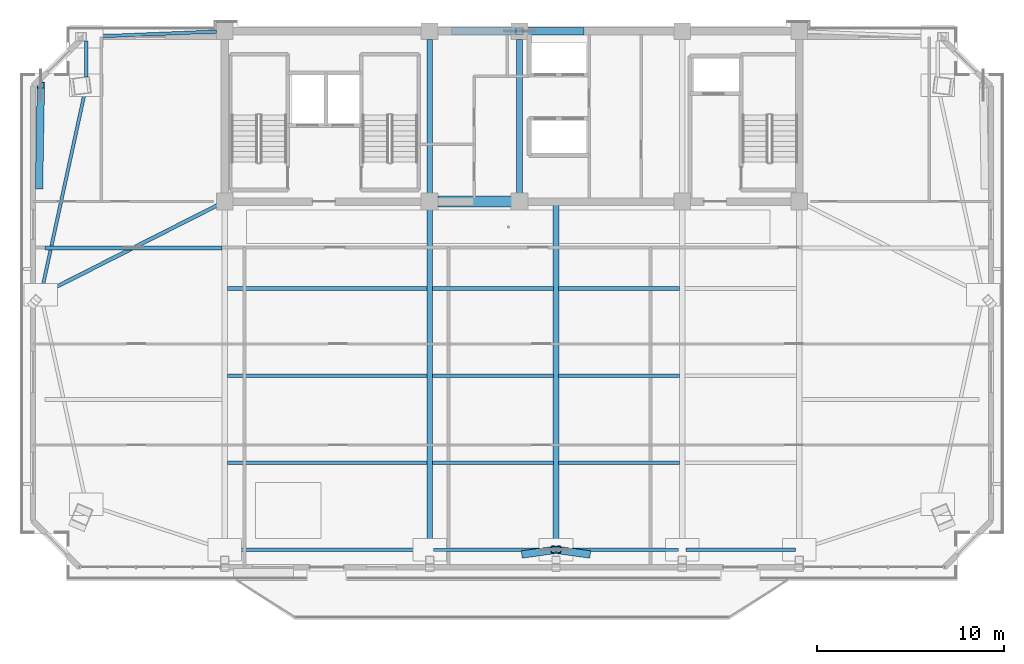
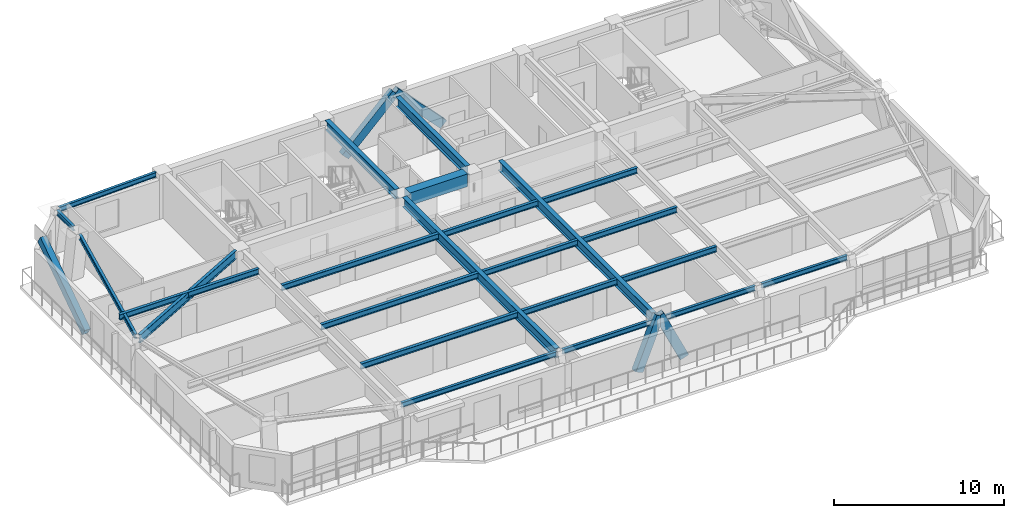
# One storey, part 3 of 15: 23 beams, 5 members.
"""IFC4 building model written with IfcOpenShell, lengths in metres."""

from ifc_helpers import new_model, si_unit, direction, frame, origin, origin_2d, place, context, subcontext, project, spatial, rectangle, hollow_rectangle, i_section, extrude, source, transform, mapped, material, material_profile, profile_set, type_object, element, save


model = new_model("IFC4")

# Units and contexts
model_context = context("Model", 3, precision=1e-05, world=origin(), true_north=direction((0.0, 1.0)))
body_context = subcontext(model_context, "Body", "Model", "MODEL_VIEW")
ifc_project = project(units=[si_unit("LENGTHUNIT", "METRE"), si_unit("AREAUNIT", "SQUARE_METRE"), si_unit("VOLUMEUNIT", "CUBIC_METRE"), si_unit("PLANEANGLEUNIT", "RADIAN"), si_unit("MASSUNIT", "GRAM", prefix="KILO")], contexts=[model_context])

# Site, building, storey
site_placement = place(None, origin())
site = spatial("IfcSite", under=ifc_project, at=site_placement, CompositionType="ELEMENT")
building_placement = place(site_placement, origin())
building = spatial("IfcBuilding", under=site, at=building_placement, Name="Giltprow Tower", CompositionType="ELEMENT")
storey_placement = place(building_placement, frame((0.0, 0.0, 290.39990234375)))
storey = spatial("IfcBuildingStorey", under=building, at=storey_placement, Name="L74", CompositionType="ELEMENT", Elevation=290.39990234375)

# Beams
ifc_material_1 = material(Name="Structural steel Q355B", Category="steel")
ifc_material_profile_1 = material_profile(ifc_material_1, i_section(OverallWidth=0.199951171875, OverallDepth=0.39990234375, WebThickness=0.008056640625, FlangeThickness=0.012939453125, at=origin_2d()), Name="HN 400x200x8x13")
ifc_profile_set_1 = profile_set([ifc_material_profile_1], Name="Structural steel Q355B")
beam_type_1 = type_object("IfcBeamType", Name="BM-JOIST-HN400", PredefinedType="JOIST", material=ifc_profile_set_1)
shared_shape_1 = source(origin(), body_context, "Body", "SweptSolid", [
    extrude(i_section(OverallWidth=0.199951171875, OverallDepth=0.39990234375, WebThickness=0.008056640625, FlangeThickness=0.012939453125, at=origin_2d()), origin(), (0.0, 0.0, 1.0), 10.659912109375),
])
for number, where, z_axis, x_axis, name in (
    (1, (19.9951171875, 23.492919921875, 2.985107421875), (1.0, 0.0, 0.0), (0.0, 1.0, 0.0), "L74 Composite Floor Joist 1-1"),
    (2, (19.9951171875, 28.14599609375, 2.985107421875), (1.0, 0.0, 0.0), (0.0, 1.0, 0.0), "L74 Composite Floor Joist 2-1"),
    (3, (19.9951171875, 32.798095703125, 2.985107421875), (1.0, 0.0, 0.0), (0.0, 1.0, 0.0), "L74 Composite Floor Joist 3-1"),
):
    element("IfcBeam", number, at=place(storey_placement, frame(where, z_axis=z_axis, x_axis=x_axis)), inside=storey, type_object=beam_type_1, Name=name, PredefinedType="JOIST", context=body_context, shape_type="MappedRepresentation", body=[
        mapped(shared_shape_1, transform((0.0, 0.0, 0.0), x_axis=(1.0, 0.0, 0.0), y_axis=(0.0, 1.0, 0.0), z_axis=(0.0, 0.0, 1.0), scale=1.0)),
    ])
shared_shape_2 = source(origin(), body_context, "Body", "SweptSolid", [
    extrude(i_section(OverallWidth=0.199951171875, OverallDepth=0.39990234375, WebThickness=0.008056640625, FlangeThickness=0.012939453125, at=origin_2d()), origin(), (0.0, 0.0, 1.0), 6.4599609375),
])
for number, where, z_axis, x_axis, name in (
    (4, (30.945068359375, 23.492919921875, 2.985107421875), (1.0, 0.0, 0.0), (0.0, 1.0, 0.0), "L74 Composite Floor Joist 1-2"),
    (5, (37.695068359375, 23.492919921875, 2.985107421875), (1.0, 0.0, 0.0), (0.0, 1.0, 0.0), "L74 Composite Floor Joist 1-3"),
    (6, (30.945068359375, 28.14599609375, 2.985107421875), (1.0, 0.0, 0.0), (0.0, 1.0, 0.0), "L74 Composite Floor Joist 2-2"),
    (7, (37.695068359375, 28.14599609375, 2.985107421875), (1.0, 0.0, 0.0), (0.0, 1.0, 0.0), "L74 Composite Floor Joist 2-3"),
    (8, (30.945068359375, 32.798095703125, 2.985107421875), (1.0, 0.0, 0.0), (0.0, 1.0, 0.0), "L74 Composite Floor Joist 3-2"),
    (9, (37.695068359375, 32.798095703125, 2.985107421875), (1.0, 0.0, 0.0), (0.0, 1.0, 0.0), "L74 Composite Floor Joist 3-3"),
):
    element("IfcBeam", number, at=place(storey_placement, frame(where, z_axis=z_axis, x_axis=x_axis)), inside=storey, type_object=beam_type_1, Name=name, PredefinedType="JOIST", context=body_context, shape_type="MappedRepresentation", body=[
        mapped(shared_shape_2, transform((0.0, 0.0, 0.0), x_axis=(1.0, 0.0, 0.0), y_axis=(0.0, 1.0, 0.0), z_axis=(0.0, 0.0, 1.0), scale=1.0)),
    ])
ifc_material_2 = material(Name="Concrete C50", Category="concrete")
ifc_material_profile_2 = material_profile(ifc_material_2, rectangle(XDim=0.60009765625, YDim=0.89990234375, at=origin_2d()), Name="RC 900x600")
ifc_profile_set_2 = profile_set([ifc_material_profile_2], Name="Concrete C50")
beam_type_2 = type_object("IfcBeamType", Name="BM-CPL-RC900", PredefinedType="LINTEL", material=ifc_profile_set_2)
shared_shape_3 = source(origin(), body_context, "Body", "SweptSolid", [
    extrude(rectangle(XDim=0.60009765625, YDim=0.89990234375, at=origin_2d()), origin(), (0.0, 0.0, 1.0), 3.929931640625),
])
beam_1_placement = place(storey_placement, frame((31.235107421875, 37.449951171875, 2.735107421875), z_axis=(1.0, 0.0, 0.0), x_axis=(0.0, 1.0, 0.0)))
element("IfcBeam", 10, at=beam_1_placement, inside=storey, type_object=beam_type_2, Name="L74 Core Coupling Beam CB-1", PredefinedType="LINTEL", context=body_context, shape_type="MappedRepresentation", body=[
    mapped(shared_shape_3, transform((0.0, 0.0, 0.0), x_axis=(1.0, 0.0, 0.0), y_axis=(0.0, 1.0, 0.0), z_axis=(0.0, 0.0, 1.0), scale=1.0)),
])
ifc_material_profile_3 = material_profile(ifc_material_1, i_section(OverallWidth=0.300048828125, OverallDepth=0.699951171875, WebThickness=0.012939453125, FlangeThickness=0.02392578125, at=origin_2d()), Name="HN 700x300x13x24")
ifc_profile_set_3 = profile_set([ifc_material_profile_3], Name="Structural steel Q355B")
beam_type_3 = type_object("IfcBeamType", Name="BM-GIRD-HN700", PredefinedType="BEAM", material=ifc_profile_set_3)
shared_shape_4 = source(origin(), body_context, "Body", "SweptSolid", [
    extrude(i_section(OverallWidth=0.300048828125, OverallDepth=0.699951171875, WebThickness=0.012939453125, FlangeThickness=0.02392578125, at=origin_2d()), origin(), (0.0, 0.0, 1.0), 8.22998046875),
])
for number, where, z_axis, x_axis, name in (
    (11, (30.800048828125, 37.885009765625, 2.835205078125), (0.0, 1.0, 0.0), (-1.0, 0.0, 0.0), "L74 Core Tie Girder M1"),
    (12, (35.60009765625, 37.885009765625, 2.835205078125), (0.0, 1.0, 0.0), (-1.0, 0.0, 0.0), "L74 Core Tie Girder M2"),
):
    element("IfcBeam", number, at=place(storey_placement, frame(where, z_axis=z_axis, x_axis=x_axis)), inside=storey, type_object=beam_type_3, Name=name, PredefinedType="BEAM", context=body_context, shape_type="MappedRepresentation", body=[
        mapped(shared_shape_4, transform((0.0, 0.0, 0.0), x_axis=(1.0, 0.0, 0.0), y_axis=(0.0, 1.0, 0.0), z_axis=(0.0, 0.0, 1.0), scale=1.0)),
    ])
ifc_material_profile_4 = material_profile(ifc_material_1, i_section(OverallWidth=0.175048828125, OverallDepth=0.35009765625, WebThickness=0.007080078125, FlangeThickness=0.010986328125, at=origin_2d()), Name="HN 350x175x7x11")
ifc_profile_set_4 = profile_set([ifc_material_profile_4], Name="Structural steel Q355B")
beam_type_4 = type_object("IfcBeamType", Name="BM-SPAN-HN350", PredefinedType="SPANDREL", material=ifc_profile_set_4)
shared_shape_5 = source(origin(), body_context, "Body", "SweptSolid", [
    extrude(i_section(OverallWidth=0.175048828125, OverallDepth=0.35009765625, WebThickness=0.007080078125, FlangeThickness=0.010986328125, at=origin_2d()), origin(), (0.0, 0.0, 1.0), 10.530029296875),
])
beam_2_placement = place(storey_placement, frame((20.06005859375, 18.841064453125, 3.010009765625), z_axis=(1.0, 0.0, 0.0), x_axis=(0.0, 1.0, 0.0)))
element("IfcBeam", 13, at=beam_2_placement, inside=storey, type_object=beam_type_4, Name="L74 Perimeter Spandrel Beam S1-S2", PredefinedType="SPANDREL", context=body_context, shape_type="MappedRepresentation", body=[
    mapped(shared_shape_5, transform((0.0, 0.0, 0.0), x_axis=(1.0, 0.0, 0.0), y_axis=(0.0, 1.0, 0.0), z_axis=(0.0, 0.0, 1.0), scale=1.0)),
])
shared_shape_6 = source(origin(), body_context, "Body", "SweptSolid", [
    extrude(i_section(OverallWidth=0.175048828125, OverallDepth=0.35009765625, WebThickness=0.007080078125, FlangeThickness=0.010986328125, at=origin_2d()), origin(), (0.0, 0.0, 1.0), 6.330078125),
])
for number, where, z_axis, x_axis, name in (
    (14, (31.010009765625, 18.841064453125, 3.010009765625), (1.0, 0.0, 0.0), (0.0, 1.0, 0.0), "L74 Perimeter Spandrel Beam S2-S_MID"),
    (15, (37.760009765625, 18.841064453125, 3.010009765625), (1.0, 0.0, 0.0), (0.0, 1.0, 0.0), "L74 Perimeter Spandrel Beam S_MID-S3"),
):
    element("IfcBeam", number, at=place(storey_placement, frame(where, z_axis=z_axis, x_axis=x_axis)), inside=storey, type_object=beam_type_4, Name=name, PredefinedType="SPANDREL", context=body_context, shape_type="MappedRepresentation", body=[
        mapped(shared_shape_6, transform((0.0, 0.0, 0.0), x_axis=(1.0, 0.0, 0.0), y_axis=(0.0, 1.0, 0.0), z_axis=(0.0, 0.0, 1.0), scale=1.0)),
    ])
shared_shape_7 = source(origin(), body_context, "Body", "SweptSolid", [
    extrude(i_section(OverallWidth=0.175048828125, OverallDepth=0.35009765625, WebThickness=0.007080078125, FlangeThickness=0.010986328125, at=origin_2d()), origin(), (0.0, 0.0, 1.0), 5.830078125),
])
beam_3_placement = place(storey_placement, frame((44.510009765625, 18.841064453125, 3.010009765625), z_axis=(1.0, 0.0, 0.0), x_axis=(0.0, 1.0, 0.0)))
element("IfcBeam", 16, at=beam_3_placement, inside=storey, type_object=beam_type_4, Name="L74 Perimeter Spandrel Beam S3-S4", PredefinedType="SPANDREL", context=body_context, shape_type="MappedRepresentation", body=[
    mapped(shared_shape_7, transform((0.0, 0.0, 0.0), x_axis=(1.0, 0.0, 0.0), y_axis=(0.0, 1.0, 0.0), z_axis=(0.0, 0.0, 1.0), scale=1.0)),
])
shared_shape_8 = source(origin(), body_context, "Body", "SweptSolid", [
    extrude(i_section(OverallWidth=0.175048828125, OverallDepth=0.35009765625, WebThickness=0.007080078125, FlangeThickness=0.010986328125, at=origin_2d()), origin(), (0.0, 0.0, 1.0), 10.81396484375),
])
beam_4_placement = place(storey_placement, frame((12.363037109375, 43.243896484375, 3.010009765625), z_axis=(-0.212127827706, -0.977241927423, 0.0), x_axis=(0.977241927423, -0.212127827706, 0.0)))
element("IfcBeam", 17, at=beam_4_placement, inside=storey, type_object=beam_type_4, Name="L74 Perimeter Spandrel Beam MC_NW-W_MID", PredefinedType="SPANDREL", context=body_context, shape_type="MappedRepresentation", body=[
    mapped(shared_shape_8, transform((0.0, 0.0, 0.0), x_axis=(1.0, 0.0, 0.0), y_axis=(0.0, 1.0, 0.0), z_axis=(0.0, 0.0, 1.0), scale=1.0)),
])
shared_shape_9 = source(origin(), body_context, "Body", "SweptSolid", [
    extrude(i_section(OverallWidth=0.175048828125, OverallDepth=0.35009765625, WebThickness=0.007080078125, FlangeThickness=0.010986328125, at=origin_2d()), origin(), (0.0, 0.0, 1.0), 1.93603515625),
])
beam_5_placement = place(storey_placement, frame((12.455078125, 46.0400390625, 3.010009765625), z_axis=(0.0, -1.0, 0.0), x_axis=(1.0, 0.0, 0.0)))
element("IfcBeam", 18, at=beam_5_placement, inside=storey, type_object=beam_type_4, Name="L74 Perimeter Spandrel Beam N_W-MC_NW", PredefinedType="SPANDREL", context=body_context, shape_type="MappedRepresentation", body=[
    mapped(shared_shape_9, transform((0.0, 0.0, 0.0), x_axis=(1.0, 0.0, 0.0), y_axis=(0.0, 1.0, 0.0), z_axis=(0.0, 0.0, 1.0), scale=1.0)),
])
shared_shape_10 = source(origin(), body_context, "Body", "SweptSolid", [
    extrude(i_section(OverallWidth=0.175048828125, OverallDepth=0.35009765625, WebThickness=0.007080078125, FlangeThickness=0.010986328125, at=origin_2d()), origin(), (0.0, 0.0, 1.0), 6.755615234375),
])
beam_6_placement = place(storey_placement, frame((12.6650390625, 46.259033203125, 3.010009765625), z_axis=(0.99918342897, 0.040403901678, 0.0), x_axis=(-0.040403901678, 0.99918342897, 0.0)))
element("IfcBeam", 19, at=beam_6_placement, inside=storey, type_object=beam_type_4, Name="L74 North Wing Spandrel W", PredefinedType="SPANDREL", context=body_context, shape_type="MappedRepresentation", body=[
    mapped(shared_shape_10, transform((0.0, 0.0, 0.0), x_axis=(1.0, 0.0, 0.0), y_axis=(0.0, 1.0, 0.0), z_axis=(0.0, 0.0, 1.0), scale=1.0)),
])
shared_shape_11 = source(origin(), body_context, "Body", "SweptSolid", [
    extrude(i_section(OverallWidth=0.300048828125, OverallDepth=0.699951171875, WebThickness=0.012939453125, FlangeThickness=0.02392578125, at=origin_2d()), origin(), (0.0, 0.0, 1.0), 17.9638671875),
])
beam_7_placement = place(storey_placement, frame((30.800048828125, 19.051025390625, 2.835205078125), z_axis=(0.0, 1.0, 0.0), x_axis=(-1.0, 0.0, 0.0)))
element("IfcBeam", 20, at=beam_7_placement, inside=storey, type_object=beam_type_3, Name="L74 Primary Lease Girder S2", PredefinedType="BEAM", context=body_context, shape_type="MappedRepresentation", body=[
    mapped(shared_shape_11, transform((0.0, 0.0, 0.0), x_axis=(1.0, 0.0, 0.0), y_axis=(0.0, 1.0, 0.0), z_axis=(0.0, 0.0, 1.0), scale=1.0)),
])
shared_shape_12 = source(origin(), body_context, "Body", "SweptSolid", [
    extrude(i_section(OverallWidth=0.300048828125, OverallDepth=0.699951171875, WebThickness=0.012939453125, FlangeThickness=0.02392578125, at=origin_2d()), origin(), (0.0, 0.0, 1.0), 18.60888671875),
])
beam_8_placement = place(storey_placement, frame((37.550048828125, 18.841064453125, 2.835205078125), z_axis=(0.0, 1.0, 0.0), x_axis=(-1.0, 0.0, 0.0)))
element("IfcBeam", 21, at=beam_8_placement, inside=storey, type_object=beam_type_3, Name="L74 Central Lease Girder SMID", PredefinedType="BEAM", context=body_context, shape_type="MappedRepresentation", body=[
    mapped(shared_shape_12, transform((0.0, 0.0, 0.0), x_axis=(1.0, 0.0, 0.0), y_axis=(0.0, 1.0, 0.0), z_axis=(0.0, 0.0, 1.0), scale=1.0)),
])
ifc_material_profile_5 = material_profile(ifc_material_1, i_section(OverallWidth=0.199951171875, OverallDepth=0.60009765625, WebThickness=0.010986328125, FlangeThickness=0.01708984375, at=origin_2d()), Name="HN 600x200x11x17")
ifc_profile_set_5 = profile_set([ifc_material_profile_5], Name="Structural steel Q355B")
beam_type_5 = type_object("IfcBeamType", Name="BM-GIRD-HN600", PredefinedType="BEAM", material=ifc_profile_set_5)
shared_shape_13 = source(origin(), body_context, "Body", "SweptSolid", [
    extrude(i_section(OverallWidth=0.199951171875, OverallDepth=0.60009765625, WebThickness=0.010986328125, FlangeThickness=0.01708984375, at=origin_2d()), origin(), (0.0, 0.0, 1.0), 10.37060546875),
])
beam_9_placement = place(storey_placement, frame((10.2109375, 32.56591796875, 2.885009765625), z_axis=(0.89204159727, 0.451953303716, 0.0), x_axis=(-0.451953303716, 0.89204159727, 0.0)))
element("IfcBeam", 22, at=beam_9_placement, inside=storey, type_object=beam_type_5, Name="L74 West Wing Primary Girder", PredefinedType="BEAM", context=body_context, shape_type="MappedRepresentation", body=[
    mapped(shared_shape_13, transform((0.0, 0.0, 0.0), x_axis=(1.0, 0.0, 0.0), y_axis=(0.0, 1.0, 0.0), z_axis=(0.0, 0.0, 1.0), scale=1.0)),
])
shared_shape_14 = source(origin(), body_context, "Body", "SweptSolid", [
    extrude(i_section(OverallWidth=0.199951171875, OverallDepth=0.39990234375, WebThickness=0.008056640625, FlangeThickness=0.012939453125, at=origin_2d()), origin(), (0.0, 0.0, 1.0), 9.461181640625),
])
beam_10_placement = place(storey_placement, frame((10.243896484375, 34.9599609375, 2.985107421875), z_axis=(1.0, 0.0, 0.0), x_axis=(0.0, 1.0, 0.0)))
element("IfcBeam", 23, at=beam_10_placement, inside=storey, type_object=beam_type_1, Name="L74 West Wing Floor Joist 2", PredefinedType="JOIST", context=body_context, shape_type="MappedRepresentation", body=[
    mapped(shared_shape_14, transform((0.0, 0.0, 0.0), x_axis=(1.0, 0.0, 0.0), y_axis=(0.0, 1.0, 0.0), z_axis=(0.0, 0.0, 1.0), scale=1.0)),
])

# Members
ifc_material_3 = material(Name="Structural steel Q420GJC", Category="steel")
ifc_material_profile_6 = material_profile(ifc_material_3, hollow_rectangle(XDim=0.39990234375, YDim=0.60009765625, WallThickness=0.028076171875, at=origin_2d()), Name="RHS 600x400x28")
ifc_profile_set_6 = profile_set([ifc_material_profile_6], Name="Structural steel Q420GJC")
member_type = type_object("IfcMemberType", Name="MBR-MEGA-RHS600", PredefinedType="BRACE", material=ifc_profile_set_6)
shared_shape_15 = source(origin(), body_context, "Body", "SweptSolid", [
    extrude(hollow_rectangle(XDim=0.39990234375, YDim=0.60009765625, WallThickness=0.028076171875, at=origin_2d()), origin(), (0.0, 0.0, 1.0), 3.74755859375),
])
for number, where, z_axis, x_axis, name in (
    (24, (35.989013671875, 18.625, 0.0), (0.416542555363, 0.05765407593, 0.907286232178), (-0.137103948829, 0.990556665323, 0.0), "L74 Chevron Mega-Brace S-L"),
    (25, (39.111083984375, 18.625, 0.0), (-0.416542555363, 0.05765407593, 0.907286232178), (-0.137103948829, -0.990556665323, 0.0), "L74 Chevron Mega-Brace S-R"),
):
    element("IfcMember", number, at=place(storey_placement, frame(where, z_axis=z_axis, x_axis=x_axis)), inside=storey, type_object=member_type, Name=name, PredefinedType="BRACE", context=body_context, shape_type="MappedRepresentation", body=[
        mapped(shared_shape_15, transform((0.0, 0.0, 0.0), x_axis=(1.0, 0.0, 0.0), y_axis=(0.0, 1.0, 0.0), z_axis=(0.0, 0.0, 1.0), scale=1.0)),
    ])
shared_shape_16 = source(origin(), body_context, "Body", "SweptSolid", [
    extrude(hollow_rectangle(XDim=0.39990234375, YDim=0.60009765625, WallThickness=0.028076171875, at=origin_2d()), origin(), (0.0, 0.0, 1.0), 4.82470703125),
])
member_1_placement = place(storey_placement, frame((32.177001953125, 46.550048828125, -0.139892578125), z_axis=(0.709506344043, 0.0, 0.704699047653), x_axis=(0.0, 1.0, 0.0)))
element("IfcMember", 26, at=member_1_placement, inside=storey, type_object=member_type, Name="L74 Chevron Mega-Brace N-L", PredefinedType="BRACE", context=body_context, shape_type="MappedRepresentation", body=[
    mapped(shared_shape_16, transform((0.0, 0.0, 0.0), x_axis=(1.0, 0.0, 0.0), y_axis=(0.0, 1.0, 0.0), z_axis=(0.0, 0.0, 1.0), scale=1.0)),
])
shared_shape_17 = source(origin(), body_context, "Body", "SweptSolid", [
    extrude(hollow_rectangle(XDim=0.39990234375, YDim=0.60009765625, WallThickness=0.028076171875, at=origin_2d()), origin(), (0.0, 0.0, 1.0), 4.695068359375),
])
member_2_placement = place(storey_placement, frame((38.837890625, 46.550048828125, -0.139892578125), z_axis=(-0.689631799614, 0.0, 0.724160190124), x_axis=(0.0, -1.0, 0.0)))
element("IfcMember", 27, at=member_2_placement, inside=storey, type_object=member_type, Name="L74 Chevron Mega-Brace N-R", PredefinedType="BRACE", context=body_context, shape_type="MappedRepresentation", body=[
    mapped(shared_shape_17, transform((0.0, 0.0, 0.0), x_axis=(1.0, 0.0, 0.0), y_axis=(0.0, 1.0, 0.0), z_axis=(0.0, 0.0, 1.0), scale=1.0)),
])
shared_shape_18 = source(origin(), body_context, "Body", "SweptSolid", [
    extrude(hollow_rectangle(XDim=0.39990234375, YDim=0.60009765625, WallThickness=0.028076171875, at=origin_2d()), origin(), (0.0, 0.0, 1.0), 6.369384765625),
])
member_3_placement = place(storey_placement, frame((9.927978515625, 38.283935546875, 0.0), z_axis=(0.015063918423, 0.845457630148, 0.533830004764), x_axis=(-0.999841306613, 0.017814645396, 0.0)))
element("IfcMember", 28, at=member_3_placement, inside=storey, type_object=member_type, Name="L74 Chevron Mega-Brace W-D", PredefinedType="BRACE", context=body_context, shape_type="MappedRepresentation", body=[
    mapped(shared_shape_18, transform((0.0, 0.0, 0.0), x_axis=(1.0, 0.0, 0.0), y_axis=(0.0, 1.0, 0.0), z_axis=(0.0, 0.0, 1.0), scale=1.0)),
])

save(model, "model.ifc")
